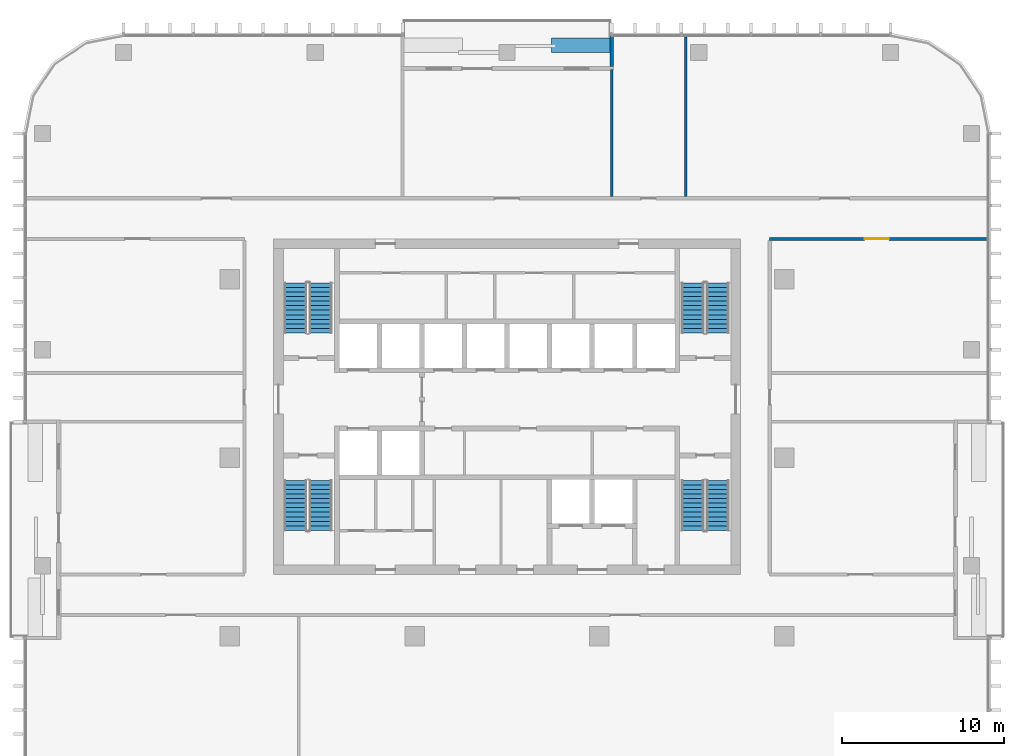
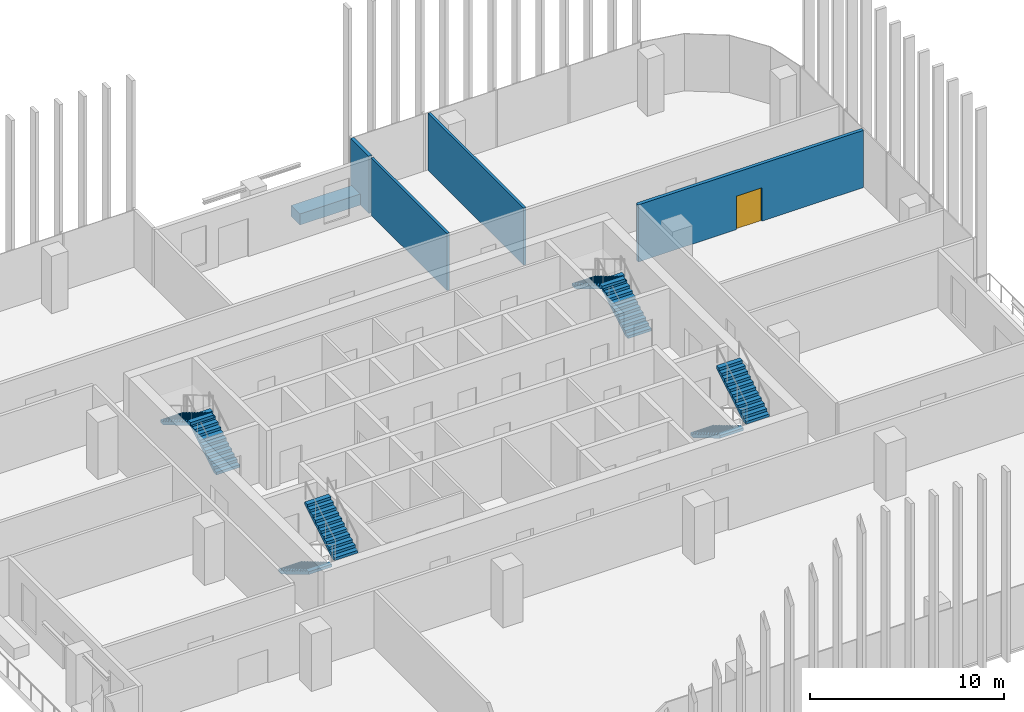
# One storey, part 10 of 16: 8 stair flights, 5 walls, 1 door, 1 opening, 4 elements without a shape of their own.
"""IFC4 building model written with IfcOpenShell, lengths in metres."""

from ifc_helpers import new_model, si_unit, direction, frame, frame_2d, origin, place, context, subcontext, project, spatial, polyline, rectangle, outline, extrude, material, layer, layer_set, type_object, element, fill, aggregate, save


model = new_model("IFC4")

# Units and contexts
model_context = context("Model", 3, precision=1e-05, world=origin(), true_north=direction((0.0, 1.0)))
body_context = subcontext(model_context, "Body", "Model", "MODEL_VIEW")
ifc_project = project(units=[si_unit("LENGTHUNIT", "METRE"), si_unit("AREAUNIT", "SQUARE_METRE"), si_unit("VOLUMEUNIT", "CUBIC_METRE"), si_unit("PLANEANGLEUNIT", "RADIAN"), si_unit("MASSUNIT", "GRAM", prefix="KILO")], contexts=[model_context])

# Site, building, storey
site_placement = place(None, origin())
site = spatial("IfcSite", under=ifc_project, at=site_placement, CompositionType="ELEMENT")
building_placement = place(site_placement, origin())
building = spatial("IfcBuilding", under=site, at=building_placement, Name="Mopane Tessera Tower", CompositionType="ELEMENT")
storey_placement = place(building_placement, frame((0.0, 0.0, 279.39990234375)))
storey = spatial("IfcBuildingStorey", under=building, at=storey_placement, Name="L60", CompositionType="ELEMENT", Elevation=279.39990234375)

# Wall, opening, door
ifc_material_1 = material(Name="Gypsum board on steel studs, two layers each face, mineral wool infill", Category="steel")
ifc_layer_1 = layer(ifc_material_1, 0.199951171875)
ifc_layer_set_1 = layer_set([ifc_layer_1], Name="Gypsum board on steel studs, two layers each face, mineral wool infill")
wall_type_1 = type_object("IfcWallType", Name="Gypsum board corridor wall 200, rated EI 60", PredefinedType="PARTITIONING", material=ifc_layer_set_1)
wall_1_placement = place(storey_placement, frame((16.199951171875, 13.5, 0.0), z_axis=(0.0, 0.0, 1.0), x_axis=(1.0, 0.0, 0.0)))
wall_1 = element("IfcWall", 1, at=wall_1_placement, inside=storey, type_object=wall_type_1, Name="Partition L60:008", PredefinedType="PARTITIONING", context=body_context, shape_type="SweptSolid", body=[
    extrude(rectangle(XDim=13.400146484375, YDim=0.199951171875, at=frame_2d((6.7001953125, 0.0))), origin(), (0.0, 0.0, 1.0), 3.60009765625),
])
opening_placement = place(wall_1_placement, frame((5.85009765625, 0.0, 0.0)))
opening = element("IfcOpeningElement", 2, at=opening_placement, cuts=wall_1, Name="Opening L60-05", PredefinedType="OPENING", context=body_context, shape_type="SweptSolid", body=[
    extrude(rectangle(XDim=1.5, YDim=2.10009765625, at=frame_2d((0.75, 1.050048828125))), frame((0.0, 0.112060546875, 0.0), z_axis=(0.0, -1.0, 0.0), x_axis=(1.0, 0.0, 0.0)), (0.0, 0.0, 1.0), 0.223876953125),
])
ifc_material_2 = material(Name="Timber veneered steel-framed fire door", Category="steel")
door_type = type_object("IfcDoorType", Name="Fire door pair FD60 1500 x 2100", OperationType="DOUBLE_DOOR_SINGLE_SWING", PredefinedType="DOOR", material=ifc_material_2)
door_placement = place(opening_placement, origin())
door = element("IfcDoor", 3, at=door_placement, inside=storey, type_object=door_type, Name="Door L60-05", ObjectType="D17A", OperationType="DOUBLE_DOOR_SINGLE_SWING", OverallHeight=2.10009765625, OverallWidth=1.5, PredefinedType="DOOR", context=body_context, shape_type="SweptSolid", body=[
    extrude(rectangle(XDim=1.5, YDim=2.10009765625, at=frame_2d((0.75, 1.050048828125))), frame((0.0, 0.02490234375, 0.0), z_axis=(0.0, -1.0, 0.0), x_axis=(1.0, 0.0, 0.0)), (0.0, 0.0, 1.0), 0.050048828125),
])
fill(opening, door)

# Walls
ifc_material_3 = material(Name="Gypsum board on steel studs, mineral wool infill", Category="steel")
ifc_layer_2 = layer(ifc_material_3, 0.14990234375)
ifc_layer_set_2 = layer_set([ifc_layer_2], Name="Gypsum board on steel studs, mineral wool infill")
wall_type_2 = type_object("IfcWallType", Name="Gypsum board partition 150, rated EI 60", PredefinedType="PARTITIONING", material=ifc_layer_set_2)
wall_2_placement = place(storey_placement, frame((6.449951171875, 16.10009765625, 0.0), z_axis=(0.0, 0.0, 1.0), x_axis=(0.0, 1.0, 0.0)))
element("IfcWall", 4, at=wall_2_placement, inside=storey, type_object=wall_type_2, Name="Partition L60:013", PredefinedType="PARTITIONING", context=body_context, shape_type="SweptSolid", body=[
    extrude(rectangle(XDim=7.849853515625, YDim=0.14990234375, at=frame_2d((3.9248046875, 0.0))), origin(), (0.0, 0.0, 1.0), 3.60009765625),
])
wall_3_placement = place(storey_placement, frame((11.010009765625, 16.10009765625, 0.0), z_axis=(0.0, 0.0, 1.0), x_axis=(0.0, 1.0, 0.0)))
element("IfcWall", 5, at=wall_3_placement, inside=storey, type_object=wall_type_2, Name="Partition L60:014", PredefinedType="PARTITIONING", context=body_context, shape_type="SweptSolid", body=[
    extrude(rectangle(XDim=9.849853515625, YDim=0.14990234375, at=frame_2d((4.9248046875, 0.0))), origin(), (0.0, 0.0, 1.0), 3.60009765625),
])
ifc_material_4 = material(Name="Reinforced concrete C32/40 with waterproofing", Category="concrete")
ifc_layer_3 = layer(ifc_material_4, 0.89990234375)
ifc_layer_set_3 = layer_set([ifc_layer_3], Name="Reinforced concrete C32/40 with waterproofing")
wall_type_3 = type_object("IfcWallType", Name="Planter trough 3600 x 900", PredefinedType="STANDARD", material=ifc_layer_set_3)
wall_4_placement = place(storey_placement, frame((6.35009765625, 25.449951171875, 0.0), z_axis=(0.0, 0.0, 1.0), x_axis=(-1.0, 0.0, 0.0)))
element("IfcWall", 6, at=wall_4_placement, inside=storey, type_object=wall_type_3, Name="e:nw:L60:N2:pl0", PredefinedType="STANDARD", context=body_context, shape_type="SweptSolid", body=[
    extrude(rectangle(XDim=3.60009765625, YDim=0.89990234375, at=frame_2d((1.800048828125, 0.0))), origin(), (0.0, 0.0, 1.0), 0.7001953125),
])
ifc_material_5 = material(Name="Blockwork with glazed tile facing", Category="masonry")
ifc_layer_4 = layer(ifc_material_5, 0.199951171875)
ifc_layer_set_4 = layer_set([ifc_layer_4], Name="Blockwork with glazed tile facing")
wall_type_4 = type_object("IfcWallType", Name="Terrace cheek wall 200", PredefinedType="STANDARD", material=ifc_layer_set_4)
wall_5_placement = place(storey_placement, frame((6.449951171875, 26.0, 0.0), z_axis=(0.0, 0.0, 1.0), x_axis=(0.0, -1.0, 0.0)))
element("IfcWall", 7, at=wall_5_placement, inside=storey, type_object=wall_type_4, Name="e:nw:L60:N2:cheeka", PredefinedType="STANDARD", context=body_context, shape_type="SweptSolid", body=[
    extrude(rectangle(XDim=1.875, YDim=0.199951171875, at=frame_2d((0.9375, 0.0))), origin(), (0.0, 0.0, 1.0), 3.60009765625),
])

# Stair, stair flights
ifc_material_6 = material(Name="Concrete C50/60", Category="concrete")
stair_type = type_object("IfcStairType", Name="Escape stair 1400 mm, riser 167 mm", PredefinedType="HALF_TURN_STAIR", material=ifc_material_6)
stair_1_placement = place(storey_placement, origin())
stair_1 = element("IfcStair", 8, at=stair_1_placement, inside=storey, type_object=stair_type, Name="L60 Escape stair south-west", PredefinedType="HALF_TURN_STAIR")
ifc_material_7 = material(Name="Concrete C50/60", Category="concrete")
stair_flight_type = type_object("IfcStairFlightType", Name="Escape stair flight 1400 mm", PredefinedType="STRAIGHT", material=ifc_material_7)
stair_flight_1_placement = place(storey_placement, frame((-13.050048828125, -1.39990234375, 0.0), z_axis=(0.0, 0.0, 1.0), x_axis=(0.0, -1.0, 0.0)))
stair_flight_1 = element("IfcStairFlight", 9, at=stair_flight_1_placement, type_object=stair_flight_type, Name="ST1 flight 1", NumberOfRisers=12, NumberOfTreads=11, PredefinedType="STRAIGHT", RiserHeight=0.166666667, TreadLength=0.28, context=body_context, shape_type="SweptSolid", body=[
    extrude(outline(polyline([(0.0, 0.0), (0.0, 0.166748046875), (0.280029296875, 0.166748046875), (0.280029296875, 0.333251953125), (0.56005859375, 0.333251953125), (0.56005859375, 0.5), (0.840087890625, 0.5), (0.840087890625, 0.666748046875), (1.1201171875, 0.666748046875), (1.1201171875, 0.833251953125), (1.39990234375, 0.833251953125), (1.39990234375, 1.0), (1.679931640625, 1.0), (1.679931640625, 1.166748046875), (1.9599609375, 1.166748046875), (1.9599609375, 1.333251953125), (2.239990234375, 1.333251953125), (2.239990234375, 1.5), (2.52001953125, 1.5), (2.52001953125, 1.666748046875), (2.800048828125, 1.666748046875), (2.800048828125, 1.833251953125), (3.080078125, 1.833251953125), (3.080078125, 2.0), (3.080078125, 1.658935546875), (0.29296875, 0.0), (0.0, 0.0)])), frame((0.0, 0.699951171875, 0.0), z_axis=(0.0, -1.0, 0.0), x_axis=(1.0, 0.0, 0.0)), (0.0, 0.0, 1.0), 1.39990234375),
])
stair_flight_2_placement = place(storey_placement, frame((-11.5, -4.47998046875, 2.0), z_axis=(0.0, 0.0, 1.0), x_axis=(0.0, 1.0, 0.0)))
stair_flight_2 = element("IfcStairFlight", 10, at=stair_flight_2_placement, type_object=stair_flight_type, Name="ST1 flight 2", NumberOfRisers=12, NumberOfTreads=11, PredefinedType="STRAIGHT", RiserHeight=0.166666667, TreadLength=0.28, context=body_context, shape_type="SweptSolid", body=[
    extrude(outline(polyline([(0.0, 0.0), (0.0, 0.166748046875), (0.280029296875, 0.166748046875), (0.280029296875, 0.333251953125), (0.56005859375, 0.333251953125), (0.56005859375, 0.5), (0.840087890625, 0.5), (0.840087890625, 0.666748046875), (1.1201171875, 0.666748046875), (1.1201171875, 0.833251953125), (1.39990234375, 0.833251953125), (1.39990234375, 1.0), (1.679931640625, 1.0), (1.679931640625, 1.166748046875), (1.9599609375, 1.166748046875), (1.9599609375, 1.333251953125), (2.239990234375, 1.333251953125), (2.239990234375, 1.5), (2.52001953125, 1.5), (2.52001953125, 1.666748046875), (2.800048828125, 1.666748046875), (2.800048828125, 1.833251953125), (3.080078125, 1.833251953125), (3.080078125, 2.0), (3.080078125, 1.658935546875), (0.29296875, 0.0), (0.0, 0.0)])), frame((0.0, 0.699951171875, 0.0), z_axis=(0.0, -1.0, 0.0), x_axis=(1.0, 0.0, 0.0)), (0.0, 0.0, 1.0), 1.39990234375),
])
aggregate(stair_1, [stair_flight_1, stair_flight_2])

stair_2_placement = place(storey_placement, origin())
stair_2 = element("IfcStair", 11, at=stair_2_placement, inside=storey, type_object=stair_type, Name="L60 Escape stair north-west", PredefinedType="HALF_TURN_STAIR")
stair_flight_3_placement = place(storey_placement, frame((-11.5, 7.699951171875, 0.0), z_axis=(0.0, 0.0, 1.0), x_axis=(0.0, 1.0, 0.0)))
stair_flight_3 = element("IfcStairFlight", 12, at=stair_flight_3_placement, type_object=stair_flight_type, Name="ST2 flight 1", NumberOfRisers=12, NumberOfTreads=11, PredefinedType="STRAIGHT", RiserHeight=0.166666667, TreadLength=0.28, context=body_context, shape_type="SweptSolid", body=[
    extrude(outline(polyline([(0.0, 0.0), (0.0, 0.166748046875), (0.280029296875, 0.166748046875), (0.280029296875, 0.333251953125), (0.56005859375, 0.333251953125), (0.56005859375, 0.5), (0.840087890625, 0.5), (0.840087890625, 0.666748046875), (1.1201171875, 0.666748046875), (1.1201171875, 0.833251953125), (1.39990234375, 0.833251953125), (1.39990234375, 1.0), (1.679931640625, 1.0), (1.679931640625, 1.166748046875), (1.9599609375, 1.166748046875), (1.9599609375, 1.333251953125), (2.239990234375, 1.333251953125), (2.239990234375, 1.5), (2.52001953125, 1.5), (2.52001953125, 1.666748046875), (2.800048828125, 1.666748046875), (2.800048828125, 1.833251953125), (3.080078125, 1.833251953125), (3.080078125, 2.0), (3.080078125, 1.658935546875), (0.29296875, 0.0), (0.0, 0.0)])), frame((0.0, 0.699951171875, 0.0), z_axis=(0.0, -1.0, 0.0), x_axis=(1.0, 0.0, 0.0)), (0.0, 0.0, 1.0), 1.39990234375),
])
stair_flight_4_placement = place(storey_placement, frame((-13.050048828125, 10.780029296875, 2.0), z_axis=(0.0, 0.0, 1.0), x_axis=(0.0, -1.0, 0.0)))
stair_flight_4 = element("IfcStairFlight", 13, at=stair_flight_4_placement, type_object=stair_flight_type, Name="ST2 flight 2", NumberOfRisers=12, NumberOfTreads=11, PredefinedType="STRAIGHT", RiserHeight=0.166666667, TreadLength=0.28, context=body_context, shape_type="SweptSolid", body=[
    extrude(outline(polyline([(0.0, 0.0), (0.0, 0.166748046875), (0.280029296875, 0.166748046875), (0.280029296875, 0.333251953125), (0.56005859375, 0.333251953125), (0.56005859375, 0.5), (0.840087890625, 0.5), (0.840087890625, 0.666748046875), (1.1201171875, 0.666748046875), (1.1201171875, 0.833251953125), (1.39990234375, 0.833251953125), (1.39990234375, 1.0), (1.679931640625, 1.0), (1.679931640625, 1.166748046875), (1.9599609375, 1.166748046875), (1.9599609375, 1.333251953125), (2.239990234375, 1.333251953125), (2.239990234375, 1.5), (2.52001953125, 1.5), (2.52001953125, 1.666748046875), (2.800048828125, 1.666748046875), (2.800048828125, 1.833251953125), (3.080078125, 1.833251953125), (3.080078125, 2.0), (3.080078125, 1.658935546875), (0.29296875, 0.0), (0.0, 0.0)])), frame((0.0, 0.699951171875, 0.0), z_axis=(0.0, -1.0, 0.0), x_axis=(1.0, 0.0, 0.0)), (0.0, 0.0, 1.0), 1.39990234375),
])
aggregate(stair_2, [stair_flight_3, stair_flight_4])

stair_3_placement = place(storey_placement, origin())
stair_3 = element("IfcStair", 14, at=stair_3_placement, inside=storey, type_object=stair_type, Name="L60 Escape stair south-east", PredefinedType="HALF_TURN_STAIR")
stair_flight_5_placement = place(storey_placement, frame((11.449951171875, -1.39990234375, 0.0), z_axis=(0.0, 0.0, 1.0), x_axis=(0.0, -1.0, 0.0)))
stair_flight_5 = element("IfcStairFlight", 15, at=stair_flight_5_placement, type_object=stair_flight_type, Name="ST3 flight 1", NumberOfRisers=12, NumberOfTreads=11, PredefinedType="STRAIGHT", RiserHeight=0.166666667, TreadLength=0.28, context=body_context, shape_type="SweptSolid", body=[
    extrude(outline(polyline([(0.0, 0.0), (0.0, 0.166748046875), (0.280029296875, 0.166748046875), (0.280029296875, 0.333251953125), (0.56005859375, 0.333251953125), (0.56005859375, 0.5), (0.840087890625, 0.5), (0.840087890625, 0.666748046875), (1.1201171875, 0.666748046875), (1.1201171875, 0.833251953125), (1.39990234375, 0.833251953125), (1.39990234375, 1.0), (1.679931640625, 1.0), (1.679931640625, 1.166748046875), (1.9599609375, 1.166748046875), (1.9599609375, 1.333251953125), (2.239990234375, 1.333251953125), (2.239990234375, 1.5), (2.52001953125, 1.5), (2.52001953125, 1.666748046875), (2.800048828125, 1.666748046875), (2.800048828125, 1.833251953125), (3.080078125, 1.833251953125), (3.080078125, 2.0), (3.080078125, 1.658935546875), (0.29296875, 0.0), (0.0, 0.0)])), frame((0.0, 0.699951171875, 0.0), z_axis=(0.0, -1.0, 0.0), x_axis=(1.0, 0.0, 0.0)), (0.0, 0.0, 1.0), 1.39990234375),
])
stair_flight_6_placement = place(storey_placement, frame((13.0, -4.47998046875, 2.0), z_axis=(0.0, 0.0, 1.0), x_axis=(0.0, 1.0, 0.0)))
stair_flight_6 = element("IfcStairFlight", 16, at=stair_flight_6_placement, type_object=stair_flight_type, Name="ST3 flight 2", NumberOfRisers=12, NumberOfTreads=11, PredefinedType="STRAIGHT", RiserHeight=0.166666667, TreadLength=0.28, context=body_context, shape_type="SweptSolid", body=[
    extrude(outline(polyline([(0.0, 0.0), (0.0, 0.166748046875), (0.280029296875, 0.166748046875), (0.280029296875, 0.333251953125), (0.56005859375, 0.333251953125), (0.56005859375, 0.5), (0.840087890625, 0.5), (0.840087890625, 0.666748046875), (1.1201171875, 0.666748046875), (1.1201171875, 0.833251953125), (1.39990234375, 0.833251953125), (1.39990234375, 1.0), (1.679931640625, 1.0), (1.679931640625, 1.166748046875), (1.9599609375, 1.166748046875), (1.9599609375, 1.333251953125), (2.239990234375, 1.333251953125), (2.239990234375, 1.5), (2.52001953125, 1.5), (2.52001953125, 1.666748046875), (2.800048828125, 1.666748046875), (2.800048828125, 1.833251953125), (3.080078125, 1.833251953125), (3.080078125, 2.0), (3.080078125, 1.658935546875), (0.29296875, 0.0), (0.0, 0.0)])), frame((0.0, 0.699951171875, 0.0), z_axis=(0.0, -1.0, 0.0), x_axis=(1.0, 0.0, 0.0)), (0.0, 0.0, 1.0), 1.39990234375),
])
aggregate(stair_3, [stair_flight_5, stair_flight_6])

stair_4_placement = place(storey_placement, origin())
stair_4 = element("IfcStair", 17, at=stair_4_placement, inside=storey, type_object=stair_type, Name="L60 Escape stair north-east", PredefinedType="HALF_TURN_STAIR")
stair_flight_7_placement = place(storey_placement, frame((13.0, 7.699951171875, 0.0), z_axis=(0.0, 0.0, 1.0), x_axis=(0.0, 1.0, 0.0)))
stair_flight_7 = element("IfcStairFlight", 18, at=stair_flight_7_placement, type_object=stair_flight_type, Name="ST4 flight 1", NumberOfRisers=12, NumberOfTreads=11, PredefinedType="STRAIGHT", RiserHeight=0.166666667, TreadLength=0.28, context=body_context, shape_type="SweptSolid", body=[
    extrude(outline(polyline([(0.0, 0.0), (0.0, 0.166748046875), (0.280029296875, 0.166748046875), (0.280029296875, 0.333251953125), (0.56005859375, 0.333251953125), (0.56005859375, 0.5), (0.840087890625, 0.5), (0.840087890625, 0.666748046875), (1.1201171875, 0.666748046875), (1.1201171875, 0.833251953125), (1.39990234375, 0.833251953125), (1.39990234375, 1.0), (1.679931640625, 1.0), (1.679931640625, 1.166748046875), (1.9599609375, 1.166748046875), (1.9599609375, 1.333251953125), (2.239990234375, 1.333251953125), (2.239990234375, 1.5), (2.52001953125, 1.5), (2.52001953125, 1.666748046875), (2.800048828125, 1.666748046875), (2.800048828125, 1.833251953125), (3.080078125, 1.833251953125), (3.080078125, 2.0), (3.080078125, 1.658935546875), (0.29296875, 0.0), (0.0, 0.0)])), frame((0.0, 0.699951171875, 0.0), z_axis=(0.0, -1.0, 0.0), x_axis=(1.0, 0.0, 0.0)), (0.0, 0.0, 1.0), 1.39990234375),
])
stair_flight_8_placement = place(storey_placement, frame((11.449951171875, 10.780029296875, 2.0), z_axis=(0.0, 0.0, 1.0), x_axis=(0.0, -1.0, 0.0)))
stair_flight_8 = element("IfcStairFlight", 19, at=stair_flight_8_placement, type_object=stair_flight_type, Name="ST4 flight 2", NumberOfRisers=12, NumberOfTreads=11, PredefinedType="STRAIGHT", RiserHeight=0.166666667, TreadLength=0.28, context=body_context, shape_type="SweptSolid", body=[
    extrude(outline(polyline([(0.0, 0.0), (0.0, 0.166748046875), (0.280029296875, 0.166748046875), (0.280029296875, 0.333251953125), (0.56005859375, 0.333251953125), (0.56005859375, 0.5), (0.840087890625, 0.5), (0.840087890625, 0.666748046875), (1.1201171875, 0.666748046875), (1.1201171875, 0.833251953125), (1.39990234375, 0.833251953125), (1.39990234375, 1.0), (1.679931640625, 1.0), (1.679931640625, 1.166748046875), (1.9599609375, 1.166748046875), (1.9599609375, 1.333251953125), (2.239990234375, 1.333251953125), (2.239990234375, 1.5), (2.52001953125, 1.5), (2.52001953125, 1.666748046875), (2.800048828125, 1.666748046875), (2.800048828125, 1.833251953125), (3.080078125, 1.833251953125), (3.080078125, 2.0), (3.080078125, 1.658935546875), (0.29296875, 0.0), (0.0, 0.0)])), frame((0.0, 0.699951171875, 0.0), z_axis=(0.0, -1.0, 0.0), x_axis=(1.0, 0.0, 0.0)), (0.0, 0.0, 1.0), 1.39990234375),
])
aggregate(stair_4, [stair_flight_7, stair_flight_8])

save(model, "model.ifc")
